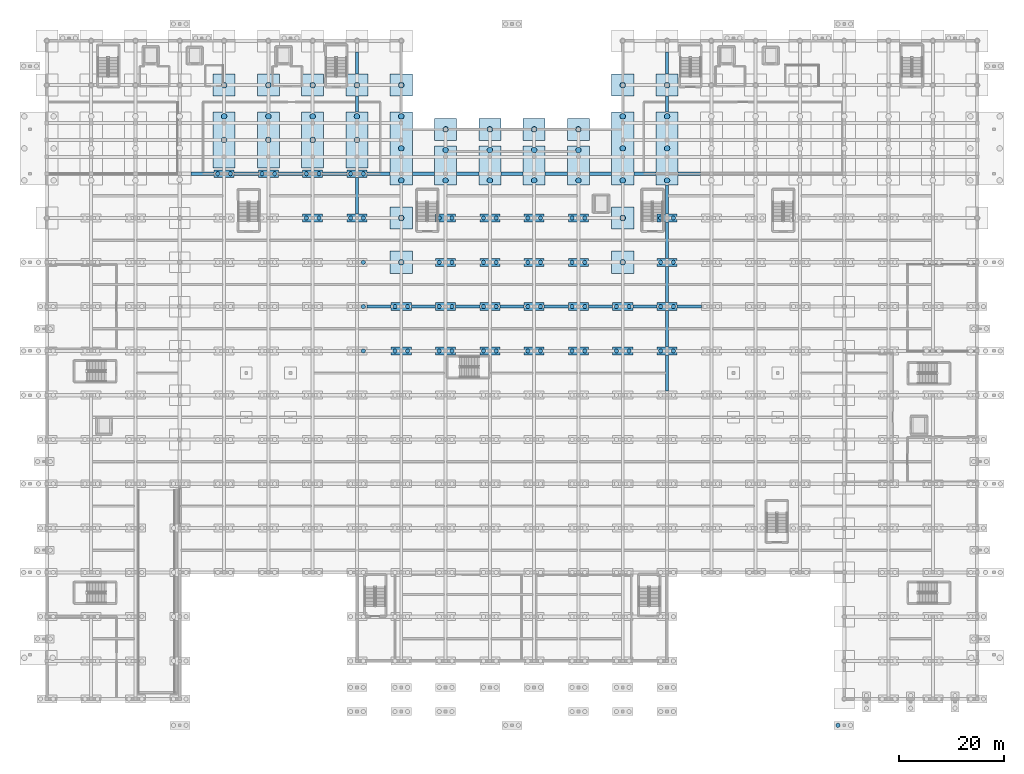
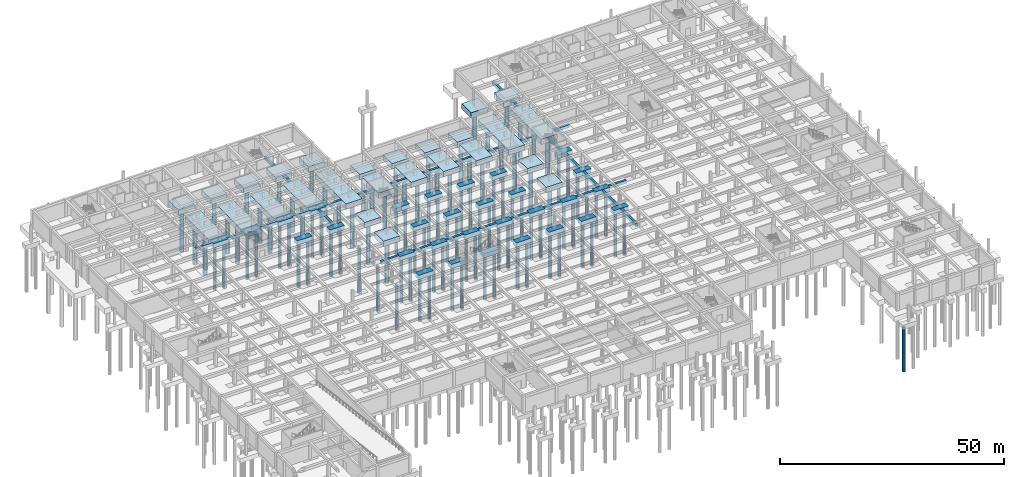
# One storey, part 4 of 51: 104 piles, 86 footings.
"""IFC4 building model written with IfcOpenShell, lengths in metres."""

from ifc_helpers import new_model, si_unit, direction, frame, origin, origin_2d, place, context, subcontext, project, spatial, rectangle, circle, extrude, material, material_profile, profile_set, type_object, element, save


model = new_model("IFC4")

# Units and contexts
model_context = context("Model", 3, precision=1e-05, world=origin(), true_north=direction((0.0, 1.0)))
body_context = subcontext(model_context, "Body", "Model", "MODEL_VIEW")
ifc_project = project(units=[si_unit("LENGTHUNIT", "METRE"), si_unit("AREAUNIT", "SQUARE_METRE"), si_unit("VOLUMEUNIT", "CUBIC_METRE"), si_unit("PLANEANGLEUNIT", "RADIAN"), si_unit("MASSUNIT", "GRAM", prefix="KILO")], contexts=[model_context])

# Site, building, storey
site_placement = place(None, origin())
site = spatial("IfcSite", under=ifc_project, at=site_placement, CompositionType="ELEMENT")
building_placement = place(site_placement, origin())
building = spatial("IfcBuilding", under=site, at=building_placement, Name="Varncliffe General Hospital", CompositionType="ELEMENT")
storey_placement = place(building_placement, frame((0.0, 0.0, -4.800048828125)))
storey = spatial("IfcBuildingStorey", under=building, at=storey_placement, Name="B1", CompositionType="ELEMENT", Elevation=-4.800048828125)

# Piles
ifc_material = material(Name="Concrete C40/50 (CSA A23.1 40 MPa)", Category="concrete")
ifc_material_profile_1 = material_profile(ifc_material, circle(Radius=0.39990234375, at=origin_2d()), Name="BORED PILE 800")
ifc_profile_set_1 = profile_set([ifc_material_profile_1], Name="Concrete C40/50 (CSA A23.1 40 MPa)")
pile_type_1 = type_object("IfcPileType", Name="Bored Caisson Pile P13 (BORED PILE 800)", PredefinedType="BORED", material=ifc_profile_set_1)
for number, where, z_axis, x_axis, name in (
    (1, (150.0, -5.0, -1.050048828125), (0.0, 0.0, -1.0), (1.0, 0.0, 0.0), "B1 Bored Pile P13 (PC-B1-003-1)"),
    (2, (60.0, 66.0, -1.050048828125), (0.0, 0.0, -1.0), (1.0, 0.0, 0.0), "B1 Bored Pile P13 (PC-B1-185-2)"),
    (3, (66.0, 66.0, -1.050048828125), (0.0, 0.0, -1.0), (1.0, 0.0, 0.0), "B1 Bored Pile P13 (PC-B1-186-1)"),
    (4, (68.39990234375, 66.0, -1.050048828125), (0.0, 0.0, -1.0), (1.0, 0.0, 0.0), "B1 Bored Pile P13 (PC-B1-186-2)"),
    (5, (74.39990234375, 66.0, -1.050048828125), (0.0, 0.0, -1.0), (1.0, 0.0, 0.0), "B1 Bored Pile P13 (PC-B1-187-1)"),
    (6, (76.800048828125, 66.0, -1.050048828125), (0.0, 0.0, -1.0), (1.0, 0.0, 0.0), "B1 Bored Pile P13 (PC-B1-187-2)"),
    (7, (82.800048828125, 66.0, -1.050048828125), (0.0, 0.0, -1.0), (1.0, 0.0, 0.0), "B1 Bored Pile P13 (PC-B1-188-1)"),
    (8, (85.199951171875, 66.0, -1.050048828125), (0.0, 0.0, -1.0), (1.0, 0.0, 0.0), "B1 Bored Pile P13 (PC-B1-188-2)"),
    (9, (91.199951171875, 66.0, -1.050048828125), (0.0, 0.0, -1.0), (1.0, 0.0, 0.0), "B1 Bored Pile P13 (PC-B1-189-1)"),
    (10, (93.60009765625, 66.0, -1.050048828125), (0.0, 0.0, -1.0), (1.0, 0.0, 0.0), "B1 Bored Pile P13 (PC-B1-189-2)"),
    (11, (99.60009765625, 66.0, -1.050048828125), (0.0, 0.0, -1.0), (1.0, 0.0, 0.0), "B1 Bored Pile P13 (PC-B1-190-1)"),
    (12, (102.0, 66.0, -1.050048828125), (0.0, 0.0, -1.0), (1.0, 0.0, 0.0), "B1 Bored Pile P13 (PC-B1-190-2)"),
    (13, (108.0, 66.0, -1.050048828125), (0.0, 0.0, -1.0), (1.0, 0.0, 0.0), "B1 Bored Pile P13 (PC-B1-191-1)"),
    (14, (110.39990234375, 66.0, -1.050048828125), (0.0, 0.0, -1.0), (1.0, 0.0, 0.0), "B1 Bored Pile P13 (PC-B1-191-2)"),
    (15, (116.39990234375, 66.0, -1.050048828125), (0.0, 0.0, -1.0), (1.0, 0.0, 0.0), "B1 Bored Pile P13 (PC-B1-192-1)"),
    (16, (118.800048828125, 66.0, -1.050048828125), (0.0, 0.0, -1.0), (1.0, 0.0, 0.0), "B1 Bored Pile P13 (PC-B1-192-2)"),
    (17, (60.0, 74.39990234375, -1.050048828125), (0.0, 0.0, -1.0), (1.0, 0.0, 0.0), "B1 Bored Pile P13 (PC-B1-209-2)"),
    (18, (66.0, 74.39990234375, -1.050048828125), (0.0, 0.0, -1.0), (1.0, 0.0, 0.0), "B1 Bored Pile P13 (PC-B1-210-1)"),
    (19, (68.39990234375, 74.39990234375, -1.050048828125), (0.0, 0.0, -1.0), (1.0, 0.0, 0.0), "B1 Bored Pile P13 (PC-B1-210-2)"),
    (20, (74.39990234375, 74.39990234375, -1.050048828125), (0.0, 0.0, -1.0), (1.0, 0.0, 0.0), "B1 Bored Pile P13 (PC-B1-211-1)"),
    (21, (76.800048828125, 74.39990234375, -1.050048828125), (0.0, 0.0, -1.0), (1.0, 0.0, 0.0), "B1 Bored Pile P13 (PC-B1-211-2)"),
    (22, (82.800048828125, 74.39990234375, -1.050048828125), (0.0, 0.0, -1.0), (1.0, 0.0, 0.0), "B1 Bored Pile P13 (PC-B1-212-1)"),
    (23, (85.199951171875, 74.39990234375, -1.050048828125), (0.0, 0.0, -1.0), (1.0, 0.0, 0.0), "B1 Bored Pile P13 (PC-B1-212-2)"),
    (24, (91.199951171875, 74.39990234375, -1.050048828125), (0.0, 0.0, -1.0), (1.0, 0.0, 0.0), "B1 Bored Pile P13 (PC-B1-213-1)"),
    (25, (93.60009765625, 74.39990234375, -1.050048828125), (0.0, 0.0, -1.0), (1.0, 0.0, 0.0), "B1 Bored Pile P13 (PC-B1-213-2)"),
    (26, (99.60009765625, 74.39990234375, -1.050048828125), (0.0, 0.0, -1.0), (1.0, 0.0, 0.0), "B1 Bored Pile P13 (PC-B1-214-1)"),
    (27, (102.0, 74.39990234375, -1.050048828125), (0.0, 0.0, -1.0), (1.0, 0.0, 0.0), "B1 Bored Pile P13 (PC-B1-214-2)"),
    (28, (108.0, 74.39990234375, -1.050048828125), (0.0, 0.0, -1.0), (1.0, 0.0, 0.0), "B1 Bored Pile P13 (PC-B1-215-1)"),
    (29, (110.39990234375, 74.39990234375, -1.050048828125), (0.0, 0.0, -1.0), (1.0, 0.0, 0.0), "B1 Bored Pile P13 (PC-B1-215-2)"),
    (30, (116.39990234375, 74.39990234375, -1.050048828125), (0.0, 0.0, -1.0), (1.0, 0.0, 0.0), "B1 Bored Pile P13 (PC-B1-216-1)"),
    (31, (118.800048828125, 74.39990234375, -1.050048828125), (0.0, 0.0, -1.0), (1.0, 0.0, 0.0), "B1 Bored Pile P13 (PC-B1-216-2)"),
    (32, (60.0, 82.800048828125, -1.050048828125), (0.0, 0.0, -1.0), (1.0, 0.0, 0.0), "B1 Bored Pile P13 (PC-B1-232-2)"),
    (33, (74.39990234375, 82.800048828125, -1.050048828125), (0.0, 0.0, -1.0), (1.0, 0.0, 0.0), "B1 Bored Pile P13 (PC-B1-233-1)"),
    (34, (76.800048828125, 82.800048828125, -1.050048828125), (0.0, 0.0, -1.0), (1.0, 0.0, 0.0), "B1 Bored Pile P13 (PC-B1-233-2)"),
    (35, (82.800048828125, 82.800048828125, -1.050048828125), (0.0, 0.0, -1.0), (1.0, 0.0, 0.0), "B1 Bored Pile P13 (PC-B1-234-1)"),
    (36, (85.199951171875, 82.800048828125, -1.050048828125), (0.0, 0.0, -1.0), (1.0, 0.0, 0.0), "B1 Bored Pile P13 (PC-B1-234-2)"),
    (37, (91.199951171875, 82.800048828125, -1.050048828125), (0.0, 0.0, -1.0), (1.0, 0.0, 0.0), "B1 Bored Pile P13 (PC-B1-235-1)"),
    (38, (93.60009765625, 82.800048828125, -1.050048828125), (0.0, 0.0, -1.0), (1.0, 0.0, 0.0), "B1 Bored Pile P13 (PC-B1-235-2)"),
    (39, (99.60009765625, 82.800048828125, -1.050048828125), (0.0, 0.0, -1.0), (1.0, 0.0, 0.0), "B1 Bored Pile P13 (PC-B1-236-1)"),
    (40, (102.0, 82.800048828125, -1.050048828125), (0.0, 0.0, -1.0), (1.0, 0.0, 0.0), "B1 Bored Pile P13 (PC-B1-236-2)"),
    (41, (116.39990234375, 82.800048828125, -1.050048828125), (0.0, 0.0, -1.0), (1.0, 0.0, 0.0), "B1 Bored Pile P13 (PC-B1-237-1)"),
    (42, (118.800048828125, 82.800048828125, -1.050048828125), (0.0, 0.0, -1.0), (1.0, 0.0, 0.0), "B1 Bored Pile P13 (PC-B1-237-2)"),
    (43, (49.199951171875, 91.199951171875, -1.050048828125), (0.0, 0.0, -1.0), (1.0, 0.0, 0.0), "B1 Bored Pile P13 (PC-B1-254-1)"),
    (44, (51.60009765625, 91.199951171875, -1.050048828125), (0.0, 0.0, -1.0), (1.0, 0.0, 0.0), "B1 Bored Pile P13 (PC-B1-254-2)"),
    (45, (57.60009765625, 91.199951171875, -1.050048828125), (0.0, 0.0, -1.0), (1.0, 0.0, 0.0), "B1 Bored Pile P13 (PC-B1-255-1)"),
    (46, (60.0, 91.199951171875, -1.050048828125), (0.0, 0.0, -1.0), (1.0, 0.0, 0.0), "B1 Bored Pile P13 (PC-B1-255-2)"),
    (47, (74.39990234375, 91.199951171875, -1.050048828125), (0.0, 0.0, -1.0), (1.0, 0.0, 0.0), "B1 Bored Pile P13 (PC-B1-256-1)"),
    (48, (76.800048828125, 91.199951171875, -1.050048828125), (0.0, 0.0, -1.0), (1.0, 0.0, 0.0), "B1 Bored Pile P13 (PC-B1-256-2)"),
    (49, (82.800048828125, 91.199951171875, -1.050048828125), (0.0, 0.0, -1.0), (1.0, 0.0, 0.0), "B1 Bored Pile P13 (PC-B1-257-1)"),
    (50, (85.199951171875, 91.199951171875, -1.050048828125), (0.0, 0.0, -1.0), (1.0, 0.0, 0.0), "B1 Bored Pile P13 (PC-B1-257-2)"),
    (51, (91.199951171875, 91.199951171875, -1.050048828125), (0.0, 0.0, -1.0), (1.0, 0.0, 0.0), "B1 Bored Pile P13 (PC-B1-258-1)"),
    (52, (93.60009765625, 91.199951171875, -1.050048828125), (0.0, 0.0, -1.0), (1.0, 0.0, 0.0), "B1 Bored Pile P13 (PC-B1-258-2)"),
    (53, (99.60009765625, 91.199951171875, -1.050048828125), (0.0, 0.0, -1.0), (1.0, 0.0, 0.0), "B1 Bored Pile P13 (PC-B1-259-1)"),
    (54, (102.0, 91.199951171875, -1.050048828125), (0.0, 0.0, -1.0), (1.0, 0.0, 0.0), "B1 Bored Pile P13 (PC-B1-259-2)"),
    (55, (116.39990234375, 91.199951171875, -1.050048828125), (0.0, 0.0, -1.0), (1.0, 0.0, 0.0), "B1 Bored Pile P13 (PC-B1-260-1)"),
    (56, (118.800048828125, 91.199951171875, -1.050048828125), (0.0, 0.0, -1.0), (1.0, 0.0, 0.0), "B1 Bored Pile P13 (PC-B1-260-2)"),
    (57, (32.39990234375, 99.60009765625, -1.050048828125), (0.0, 0.0, -1.0), (1.0, 0.0, 0.0), "B1 Bored Pile P13 (PC-B1-285-1)"),
    (58, (34.800048828125, 99.60009765625, -1.050048828125), (0.0, 0.0, -1.0), (1.0, 0.0, 0.0), "B1 Bored Pile P13 (PC-B1-285-2)"),
    (59, (40.800048828125, 99.60009765625, -1.050048828125), (0.0, 0.0, -1.0), (1.0, 0.0, 0.0), "B1 Bored Pile P13 (PC-B1-286-1)"),
    (60, (43.199951171875, 99.60009765625, -1.050048828125), (0.0, 0.0, -1.0), (1.0, 0.0, 0.0), "B1 Bored Pile P13 (PC-B1-286-2)"),
    (61, (49.199951171875, 99.60009765625, -1.050048828125), (0.0, 0.0, -1.0), (1.0, 0.0, 0.0), "B1 Bored Pile P13 (PC-B1-287-1)"),
    (62, (51.60009765625, 99.60009765625, -1.050048828125), (0.0, 0.0, -1.0), (1.0, 0.0, 0.0), "B1 Bored Pile P13 (PC-B1-287-2)"),
    (63, (57.60009765625, 99.60009765625, -1.050048828125), (0.0, 0.0, -1.0), (1.0, 0.0, 0.0), "B1 Bored Pile P13 (PC-B1-288-1)"),
    (64, (60.0, 99.60009765625, -1.050048828125), (0.0, 0.0, -1.0), (1.0, 0.0, 0.0), "B1 Bored Pile P13 (PC-B1-288-2)"),
):
    element("IfcPile", number, at=place(storey_placement, frame(where, z_axis=z_axis, x_axis=x_axis)), inside=storey, type_object=pile_type_1, Name=name, PredefinedType="BORED", context=body_context, shape_type="SweptSolid", body=[
        extrude(circle(Radius=0.39990234375, at=origin_2d()), origin(), (0.0, 0.0, 1.0), 12.14990234375),
    ])
ifc_material_profile_2 = material_profile(ifc_material, circle(Radius=0.52490234375, at=origin_2d()), Name="BORED PILE 1050")
ifc_profile_set_2 = profile_set([ifc_material_profile_2], Name="Concrete C40/50 (CSA A23.1 40 MPa)")
pile_type_2 = type_object("IfcPileType", Name="Bored Caisson Pile P22 (BORED PILE 1050)", PredefinedType="BORED", material=ifc_profile_set_2)
for number, where, z_axis, x_axis, name in (
    (65, (67.199951171875, 82.800048828125, -1.349853515625), (0.0, 0.0, -1.0), (1.0, 0.0, 0.0), "B1 Bored Pile P22 (PC-B1-223-1)"),
    (66, (109.199951171875, 82.800048828125, -1.349853515625), (0.0, 0.0, -1.0), (1.0, 0.0, 0.0), "B1 Bored Pile P22 (PC-B1-224-1)"),
    (67, (67.199951171875, 91.199951171875, -1.349853515625), (0.0, 0.0, -1.0), (1.0, 0.0, 0.0), "B1 Bored Pile P22 (PC-B1-246-1)"),
    (68, (109.199951171875, 91.199951171875, -1.349853515625), (0.0, 0.0, -1.0), (1.0, 0.0, 0.0), "B1 Bored Pile P22 (PC-B1-247-1)"),
    (69, (67.199951171875, 98.324951171875, -1.349853515625), (0.0, 0.0, -1.0), (1.0, 0.0, 0.0), "B1 Bored Pile P22 (PC-B1-270-1)"),
    (70, (67.199951171875, 104.39990234375, -1.349853515625), (0.0, 0.0, -1.0), (1.0, 0.0, 0.0), "B1 Bored Pile P22 (PC-B1-270-2)"),
    (71, (67.199951171875, 110.47509765625, -1.349853515625), (0.0, 0.0, -1.0), (1.0, 0.0, 0.0), "B1 Bored Pile P22 (PC-B1-270-3)"),
    (72, (75.60009765625, 98.324951171875, -1.349853515625), (0.0, 0.0, -1.0), (1.0, 0.0, 0.0), "B1 Bored Pile P22 (PC-B1-271-1)"),
    (73, (75.60009765625, 104.074951171875, -1.349853515625), (0.0, 0.0, -1.0), (1.0, 0.0, 0.0), "B1 Bored Pile P22 (PC-B1-271-2)"),
    (74, (84.0, 98.324951171875, -1.349853515625), (0.0, 0.0, -1.0), (1.0, 0.0, 0.0), "B1 Bored Pile P22 (PC-B1-272-1)"),
    (75, (84.0, 104.074951171875, -1.349853515625), (0.0, 0.0, -1.0), (1.0, 0.0, 0.0), "B1 Bored Pile P22 (PC-B1-272-2)"),
    (76, (92.39990234375, 98.324951171875, -1.349853515625), (0.0, 0.0, -1.0), (1.0, 0.0, 0.0), "B1 Bored Pile P22 (PC-B1-273-1)"),
    (77, (92.39990234375, 104.074951171875, -1.349853515625), (0.0, 0.0, -1.0), (1.0, 0.0, 0.0), "B1 Bored Pile P22 (PC-B1-273-2)"),
    (78, (100.800048828125, 98.324951171875, -1.349853515625), (0.0, 0.0, -1.0), (1.0, 0.0, 0.0), "B1 Bored Pile P22 (PC-B1-274-1)"),
    (79, (100.800048828125, 104.074951171875, -1.349853515625), (0.0, 0.0, -1.0), (1.0, 0.0, 0.0), "B1 Bored Pile P22 (PC-B1-274-2)"),
    (80, (109.199951171875, 98.324951171875, -1.349853515625), (0.0, 0.0, -1.0), (1.0, 0.0, 0.0), "B1 Bored Pile P22 (PC-B1-275-1)"),
    (81, (109.199951171875, 104.39990234375, -1.349853515625), (0.0, 0.0, -1.0), (1.0, 0.0, 0.0), "B1 Bored Pile P22 (PC-B1-275-2)"),
    (82, (109.199951171875, 110.47509765625, -1.349853515625), (0.0, 0.0, -1.0), (1.0, 0.0, 0.0), "B1 Bored Pile P22 (PC-B1-275-3)"),
    (83, (117.60009765625, 98.324951171875, -1.349853515625), (0.0, 0.0, -1.0), (1.0, 0.0, 0.0), "B1 Bored Pile P22 (PC-B1-276-1)"),
    (84, (117.60009765625, 104.39990234375, -1.349853515625), (0.0, 0.0, -1.0), (1.0, 0.0, 0.0), "B1 Bored Pile P22 (PC-B1-276-2)"),
    (85, (117.60009765625, 110.47509765625, -1.349853515625), (0.0, 0.0, -1.0), (1.0, 0.0, 0.0), "B1 Bored Pile P22 (PC-B1-276-3)"),
    (86, (33.60009765625, 106.0, -1.349853515625), (0.0, 0.0, -1.0), (1.0, 0.0, 0.0), "B1 Bored Pile P22 (PC-B1-289-1)"),
    (87, (33.60009765625, 110.47509765625, -1.349853515625), (0.0, 0.0, -1.0), (1.0, 0.0, 0.0), "B1 Bored Pile P22 (PC-B1-289-2)"),
    (88, (42.0, 106.0, -1.349853515625), (0.0, 0.0, -1.0), (1.0, 0.0, 0.0), "B1 Bored Pile P22 (PC-B1-290-1)"),
    (89, (42.0, 110.47509765625, -1.349853515625), (0.0, 0.0, -1.0), (1.0, 0.0, 0.0), "B1 Bored Pile P22 (PC-B1-290-2)"),
    (90, (50.39990234375, 106.0, -1.349853515625), (0.0, 0.0, -1.0), (1.0, 0.0, 0.0), "B1 Bored Pile P22 (PC-B1-291-1)"),
    (91, (50.39990234375, 110.47509765625, -1.349853515625), (0.0, 0.0, -1.0), (1.0, 0.0, 0.0), "B1 Bored Pile P22 (PC-B1-291-2)"),
    (92, (58.800048828125, 106.0, -1.349853515625), (0.0, 0.0, -1.0), (1.0, 0.0, 0.0), "B1 Bored Pile P22 (PC-B1-292-1)"),
    (93, (58.800048828125, 110.47509765625, -1.349853515625), (0.0, 0.0, -1.0), (1.0, 0.0, 0.0), "B1 Bored Pile P22 (PC-B1-292-2)"),
    (94, (75.60009765625, 108.0, -1.349853515625), (0.0, 0.0, -1.0), (1.0, 0.0, 0.0), "B1 Bored Pile P22 (PC-B1-293-1)"),
    (95, (84.0, 108.0, -1.349853515625), (0.0, 0.0, -1.0), (1.0, 0.0, 0.0), "B1 Bored Pile P22 (PC-B1-294-1)"),
    (96, (92.39990234375, 108.0, -1.349853515625), (0.0, 0.0, -1.0), (1.0, 0.0, 0.0), "B1 Bored Pile P22 (PC-B1-295-1)"),
    (97, (100.800048828125, 108.0, -1.349853515625), (0.0, 0.0, -1.0), (1.0, 0.0, 0.0), "B1 Bored Pile P22 (PC-B1-296-1)"),
    (98, (33.60009765625, 116.39990234375, -1.349853515625), (0.0, 0.0, -1.0), (1.0, 0.0, 0.0), "B1 Bored Pile P22 (PC-B1-301-1)"),
    (99, (42.0, 116.39990234375, -1.349853515625), (0.0, 0.0, -1.0), (1.0, 0.0, 0.0), "B1 Bored Pile P22 (PC-B1-302-1)"),
    (100, (50.39990234375, 116.39990234375, -1.349853515625), (0.0, 0.0, -1.0), (1.0, 0.0, 0.0), "B1 Bored Pile P22 (PC-B1-303-1)"),
    (101, (58.800048828125, 116.39990234375, -1.349853515625), (0.0, 0.0, -1.0), (1.0, 0.0, 0.0), "B1 Bored Pile P22 (PC-B1-304-1)"),
    (102, (67.199951171875, 116.39990234375, -1.349853515625), (0.0, 0.0, -1.0), (1.0, 0.0, 0.0), "B1 Bored Pile P22 (PC-B1-305-1)"),
    (103, (109.199951171875, 116.39990234375, -1.349853515625), (0.0, 0.0, -1.0), (1.0, 0.0, 0.0), "B1 Bored Pile P22 (PC-B1-306-1)"),
    (104, (117.60009765625, 116.39990234375, -1.349853515625), (0.0, 0.0, -1.0), (1.0, 0.0, 0.0), "B1 Bored Pile P22 (PC-B1-307-1)"),
):
    element("IfcPile", number, at=place(storey_placement, frame(where, z_axis=z_axis, x_axis=x_axis)), inside=storey, type_object=pile_type_2, Name=name, PredefinedType="BORED", context=body_context, shape_type="SweptSolid", body=[
        extrude(circle(Radius=0.52490234375, at=origin_2d()), origin(), (0.0, 0.0, 1.0), 11.85009765625),
    ])

# Footings
footing_type_1 = type_object("IfcFootingType", Name="Pile Cap PC11 (7400x4200x1500)", PredefinedType="PILE_CAP", material=ifc_material)
for number, where, z_axis, x_axis, name in (
    (105, (75.60009765625, 101.199951171875, -1.5), (0.0, 0.0, 1.0), (1.0, 0.0, 0.0), "B1 Pile Cap PC11 #271"),
    (106, (84.0, 101.199951171875, -1.5), (0.0, 0.0, 1.0), (1.0, 0.0, 0.0), "B1 Pile Cap PC11 #272"),
    (107, (92.39990234375, 101.199951171875, -1.5), (0.0, 0.0, 1.0), (1.0, 0.0, 0.0), "B1 Pile Cap PC11 #273"),
    (108, (100.800048828125, 101.199951171875, -1.5), (0.0, 0.0, 1.0), (1.0, 0.0, 0.0), "B1 Pile Cap PC11 #274"),
):
    element("IfcFooting", number, at=place(storey_placement, frame(where, z_axis=z_axis, x_axis=x_axis)), inside=storey, type_object=footing_type_1, Name=name, PredefinedType="PILE_CAP", context=body_context, shape_type="SweptSolid", body=[
        extrude(rectangle(XDim=4.199951171875, YDim=7.39990234375, at=origin_2d()), origin(), (0.0, 0.0, 1.0), 1.5),
    ])
footing_type_2 = type_object("IfcFootingType", Name="Pile Cap PC16 (10600x4200x1500)", PredefinedType="PILE_CAP", material=ifc_material)
for number, where, z_axis, x_axis, name in (
    (109, (33.60009765625, 106.0, -1.5), (0.0, 0.0, 1.0), (1.0, 0.0, 0.0), "B1 Pile Cap PC16 #289"),
    (110, (42.0, 106.0, -1.5), (0.0, 0.0, 1.0), (1.0, 0.0, 0.0), "B1 Pile Cap PC16 #290"),
    (111, (50.39990234375, 106.0, -1.5), (0.0, 0.0, 1.0), (1.0, 0.0, 0.0), "B1 Pile Cap PC16 #291"),
    (112, (58.800048828125, 106.0, -1.5), (0.0, 0.0, 1.0), (1.0, 0.0, 0.0), "B1 Pile Cap PC16 #292"),
):
    element("IfcFooting", number, at=place(storey_placement, frame(where, z_axis=z_axis, x_axis=x_axis)), inside=storey, type_object=footing_type_2, Name=name, PredefinedType="PILE_CAP", context=body_context, shape_type="SweptSolid", body=[
        extrude(rectangle(XDim=4.199951171875, YDim=10.60009765625, at=origin_2d()), origin(), (0.0, 0.0, 1.0), 1.5),
    ])
footing_type_3 = type_object("IfcFootingType", Name="Pile Cap PC17 (3800x1500x1200)", PredefinedType="PILE_CAP", material=ifc_material)
for number, where, z_axis, x_axis, name in (
    (113, (67.199951171875, 66.0, -1.19970703125), (0.0, 0.0, 1.0), (1.0, 0.0, 0.0), "B1 Pile Cap PC17 #186"),
    (114, (75.60009765625, 66.0, -1.19970703125), (0.0, 0.0, 1.0), (1.0, 0.0, 0.0), "B1 Pile Cap PC17 #187"),
    (115, (84.0, 66.0, -1.19970703125), (0.0, 0.0, 1.0), (1.0, 0.0, 0.0), "B1 Pile Cap PC17 #188"),
    (116, (92.39990234375, 66.0, -1.19970703125), (0.0, 0.0, 1.0), (1.0, 0.0, 0.0), "B1 Pile Cap PC17 #189"),
    (117, (100.800048828125, 66.0, -1.19970703125), (0.0, 0.0, 1.0), (1.0, 0.0, 0.0), "B1 Pile Cap PC17 #190"),
    (118, (109.199951171875, 66.0, -1.19970703125), (0.0, 0.0, 1.0), (1.0, 0.0, 0.0), "B1 Pile Cap PC17 #191"),
    (119, (117.60009765625, 66.0, -1.19970703125), (0.0, 0.0, 1.0), (1.0, 0.0, 0.0), "B1 Pile Cap PC17 #192"),
    (120, (67.199951171875, 74.39990234375, -1.19970703125), (0.0, 0.0, 1.0), (1.0, 0.0, 0.0), "B1 Pile Cap PC17 #210"),
    (121, (75.60009765625, 74.39990234375, -1.19970703125), (0.0, 0.0, 1.0), (1.0, 0.0, 0.0), "B1 Pile Cap PC17 #211"),
    (122, (84.0, 74.39990234375, -1.19970703125), (0.0, 0.0, 1.0), (1.0, 0.0, 0.0), "B1 Pile Cap PC17 #212"),
    (123, (92.39990234375, 74.39990234375, -1.19970703125), (0.0, 0.0, 1.0), (1.0, 0.0, 0.0), "B1 Pile Cap PC17 #213"),
    (124, (100.800048828125, 74.39990234375, -1.19970703125), (0.0, 0.0, 1.0), (1.0, 0.0, 0.0), "B1 Pile Cap PC17 #214"),
    (125, (109.199951171875, 74.39990234375, -1.19970703125), (0.0, 0.0, 1.0), (1.0, 0.0, 0.0), "B1 Pile Cap PC17 #215"),
    (126, (117.60009765625, 74.39990234375, -1.19970703125), (0.0, 0.0, 1.0), (1.0, 0.0, 0.0), "B1 Pile Cap PC17 #216"),
    (127, (75.60009765625, 82.800048828125, -1.19970703125), (0.0, 0.0, 1.0), (1.0, 0.0, 0.0), "B1 Pile Cap PC17 #233"),
    (128, (84.0, 82.800048828125, -1.19970703125), (0.0, 0.0, 1.0), (1.0, 0.0, 0.0), "B1 Pile Cap PC17 #234"),
    (129, (92.39990234375, 82.800048828125, -1.19970703125), (0.0, 0.0, 1.0), (1.0, 0.0, 0.0), "B1 Pile Cap PC17 #235"),
    (130, (100.800048828125, 82.800048828125, -1.19970703125), (0.0, 0.0, 1.0), (1.0, 0.0, 0.0), "B1 Pile Cap PC17 #236"),
    (131, (117.60009765625, 82.800048828125, -1.19970703125), (0.0, 0.0, 1.0), (1.0, 0.0, 0.0), "B1 Pile Cap PC17 #237"),
    (132, (50.39990234375, 91.199951171875, -1.19970703125), (0.0, 0.0, 1.0), (1.0, 0.0, 0.0), "B1 Pile Cap PC17 #254"),
    (133, (58.800048828125, 91.199951171875, -1.19970703125), (0.0, 0.0, 1.0), (1.0, 0.0, 0.0), "B1 Pile Cap PC17 #255"),
    (134, (75.60009765625, 91.199951171875, -1.19970703125), (0.0, 0.0, 1.0), (1.0, 0.0, 0.0), "B1 Pile Cap PC17 #256"),
    (135, (84.0, 91.199951171875, -1.19970703125), (0.0, 0.0, 1.0), (1.0, 0.0, 0.0), "B1 Pile Cap PC17 #257"),
    (136, (92.39990234375, 91.199951171875, -1.19970703125), (0.0, 0.0, 1.0), (1.0, 0.0, 0.0), "B1 Pile Cap PC17 #258"),
    (137, (100.800048828125, 91.199951171875, -1.19970703125), (0.0, 0.0, 1.0), (1.0, 0.0, 0.0), "B1 Pile Cap PC17 #259"),
    (138, (117.60009765625, 91.199951171875, -1.19970703125), (0.0, 0.0, 1.0), (1.0, 0.0, 0.0), "B1 Pile Cap PC17 #260"),
    (139, (33.60009765625, 99.60009765625, -1.19970703125), (0.0, 0.0, 1.0), (1.0, 0.0, 0.0), "B1 Pile Cap PC17 #285"),
    (140, (42.0, 99.60009765625, -1.19970703125), (0.0, 0.0, 1.0), (1.0, 0.0, 0.0), "B1 Pile Cap PC17 #286"),
    (141, (50.39990234375, 99.60009765625, -1.19970703125), (0.0, 0.0, 1.0), (1.0, 0.0, 0.0), "B1 Pile Cap PC17 #287"),
    (142, (58.800048828125, 99.60009765625, -1.19970703125), (0.0, 0.0, 1.0), (1.0, 0.0, 0.0), "B1 Pile Cap PC17 #288"),
):
    element("IfcFooting", number, at=place(storey_placement, frame(where, z_axis=z_axis, x_axis=x_axis)), inside=storey, type_object=footing_type_3, Name=name, PredefinedType="PILE_CAP", context=body_context, shape_type="SweptSolid", body=[
        extrude(rectangle(XDim=3.800048828125, YDim=1.5, at=origin_2d()), origin(), (0.0, 0.0, 1.0), 1.199951171875),
    ])
footing_type_4 = type_object("IfcFootingType", Name="Pile Cap PC24 (13800x4200x1500)", PredefinedType="PILE_CAP", material=ifc_material)
for number, where, z_axis, x_axis, name in (
    (143, (67.199951171875, 104.39990234375, -1.5), (0.0, 0.0, 1.0), (1.0, 0.0, 0.0), "B1 Pile Cap PC24 #270"),
    (144, (109.199951171875, 104.39990234375, -1.5), (0.0, 0.0, 1.0), (1.0, 0.0, 0.0), "B1 Pile Cap PC24 #275"),
    (145, (117.60009765625, 104.39990234375, -1.5), (0.0, 0.0, 1.0), (1.0, 0.0, 0.0), "B1 Pile Cap PC24 #276"),
):
    element("IfcFooting", number, at=place(storey_placement, frame(where, z_axis=z_axis, x_axis=x_axis)), inside=storey, type_object=footing_type_4, Name=name, PredefinedType="PILE_CAP", context=body_context, shape_type="SweptSolid", body=[
        extrude(rectangle(XDim=4.199951171875, YDim=13.800048828125, at=origin_2d()), origin(), (0.0, 0.0, 1.0), 1.5),
    ])
footing_type_5 = type_object("IfcFootingType", Name="Pile Cap PC67 (4200x4200x1500)", PredefinedType="PILE_CAP", material=ifc_material)
for number, where, z_axis, x_axis, name in (
    (146, (67.199951171875, 82.800048828125, -1.5), (0.0, 0.0, 1.0), (1.0, 0.0, 0.0), "B1 Pile Cap PC67 #223"),
    (147, (109.199951171875, 82.800048828125, -1.5), (0.0, 0.0, 1.0), (1.0, 0.0, 0.0), "B1 Pile Cap PC67 #224"),
    (148, (67.199951171875, 91.199951171875, -1.5), (0.0, 0.0, 1.0), (1.0, 0.0, 0.0), "B1 Pile Cap PC67 #246"),
    (149, (109.199951171875, 91.199951171875, -1.5), (0.0, 0.0, 1.0), (1.0, 0.0, 0.0), "B1 Pile Cap PC67 #247"),
    (150, (75.60009765625, 108.0, -1.5), (0.0, 0.0, 1.0), (1.0, 0.0, 0.0), "B1 Pile Cap PC67 #293"),
    (151, (84.0, 108.0, -1.5), (0.0, 0.0, 1.0), (1.0, 0.0, 0.0), "B1 Pile Cap PC67 #294"),
    (152, (92.39990234375, 108.0, -1.5), (0.0, 0.0, 1.0), (1.0, 0.0, 0.0), "B1 Pile Cap PC67 #295"),
    (153, (100.800048828125, 108.0, -1.5), (0.0, 0.0, 1.0), (1.0, 0.0, 0.0), "B1 Pile Cap PC67 #296"),
    (154, (33.60009765625, 116.39990234375, -1.5), (0.0, 0.0, 1.0), (1.0, 0.0, 0.0), "B1 Pile Cap PC67 #301"),
    (155, (42.0, 116.39990234375, -1.5), (0.0, 0.0, 1.0), (1.0, 0.0, 0.0), "B1 Pile Cap PC67 #302"),
    (156, (50.39990234375, 116.39990234375, -1.5), (0.0, 0.0, 1.0), (1.0, 0.0, 0.0), "B1 Pile Cap PC67 #303"),
    (157, (58.800048828125, 116.39990234375, -1.5), (0.0, 0.0, 1.0), (1.0, 0.0, 0.0), "B1 Pile Cap PC67 #304"),
    (158, (67.199951171875, 116.39990234375, -1.5), (0.0, 0.0, 1.0), (1.0, 0.0, 0.0), "B1 Pile Cap PC67 #305"),
    (159, (109.199951171875, 116.39990234375, -1.5), (0.0, 0.0, 1.0), (1.0, 0.0, 0.0), "B1 Pile Cap PC67 #306"),
    (160, (117.60009765625, 116.39990234375, -1.5), (0.0, 0.0, 1.0), (1.0, 0.0, 0.0), "B1 Pile Cap PC67 #307"),
):
    element("IfcFooting", number, at=place(storey_placement, frame(where, z_axis=z_axis, x_axis=x_axis)), inside=storey, type_object=footing_type_5, Name=name, PredefinedType="PILE_CAP", context=body_context, shape_type="SweptSolid", body=[
        extrude(rectangle(XDim=4.199951171875, YDim=4.199951171875, at=origin_2d()), origin(), (0.0, 0.0, 1.0), 1.5),
    ])
footing_type_6 = type_object("IfcFootingType", Name="Seismic Grade Tie Beam FB69 (600x800)", PredefinedType="FOOTING_BEAM", material=ifc_material)
for number, where, z_axis, x_axis, name in (
    (161, (63.0, 74.39990234375, -0.7998046875), (0.0, 0.0, 1.0), (1.0, 0.0, 0.0), "B1 Seismic Footing Tie Beam FB69-59"),
    (162, (71.39990234375, 74.39990234375, -0.7998046875), (0.0, 0.0, 1.0), (1.0, 0.0, 0.0), "B1 Seismic Footing Tie Beam FB69-60"),
    (163, (79.800048828125, 74.39990234375, -0.7998046875), (0.0, 0.0, 1.0), (1.0, 0.0, 0.0), "B1 Seismic Footing Tie Beam FB69-61"),
    (164, (88.199951171875, 74.39990234375, -0.7998046875), (0.0, 0.0, 1.0), (1.0, 0.0, 0.0), "B1 Seismic Footing Tie Beam FB69-62"),
    (165, (96.60009765625, 74.39990234375, -0.7998046875), (0.0, 0.0, 1.0), (1.0, 0.0, 0.0), "B1 Seismic Footing Tie Beam FB69-63"),
    (166, (105.0, 74.39990234375, -0.7998046875), (0.0, 0.0, 1.0), (1.0, 0.0, 0.0), "B1 Seismic Footing Tie Beam FB69-64"),
    (167, (113.39990234375, 74.39990234375, -0.7998046875), (0.0, 0.0, 1.0), (1.0, 0.0, 0.0), "B1 Seismic Footing Tie Beam FB69-65"),
    (168, (121.800048828125, 74.39990234375, -0.7998046875), (0.0, 0.0, 1.0), (1.0, 0.0, 0.0), "B1 Seismic Footing Tie Beam FB69-66"),
):
    element("IfcFooting", number, at=place(storey_placement, frame(where, z_axis=z_axis, x_axis=x_axis)), inside=storey, type_object=footing_type_6, Name=name, PredefinedType="FOOTING_BEAM", context=body_context, shape_type="SweptSolid", body=[
        extrude(rectangle(XDim=4.60009765625, YDim=0.60009765625, at=origin_2d()), origin(), (0.0, 0.0, 1.0), 0.800048828125),
    ])
footing_1_placement = place(storey_placement, frame((29.5, 99.60009765625, -0.7998046875), z_axis=(0.0, 0.0, 1.0), x_axis=(1.0, 0.0, 0.0)))
element("IfcFooting", 169, at=footing_1_placement, inside=storey, type_object=footing_type_6, Name="B1 Seismic Footing Tie Beam FB69-76", PredefinedType="FOOTING_BEAM", context=body_context, shape_type="SweptSolid", body=[
    extrude(rectangle(XDim=4.39990234375, YDim=0.60009765625, at=origin_2d()), origin(), (0.0, 0.0, 1.0), 0.800048828125),
])
for number, where, z_axis, x_axis, name in (
    (170, (37.800048828125, 99.60009765625, -0.7998046875), (0.0, 0.0, 1.0), (1.0, 0.0, 0.0), "B1 Seismic Footing Tie Beam FB69-77"),
    (171, (46.199951171875, 99.60009765625, -0.7998046875), (0.0, 0.0, 1.0), (1.0, 0.0, 0.0), "B1 Seismic Footing Tie Beam FB69-78"),
    (172, (54.60009765625, 99.60009765625, -0.7998046875), (0.0, 0.0, 1.0), (1.0, 0.0, 0.0), "B1 Seismic Footing Tie Beam FB69-79"),
):
    element("IfcFooting", number, at=place(storey_placement, frame(where, z_axis=z_axis, x_axis=x_axis)), inside=storey, type_object=footing_type_6, Name=name, PredefinedType="FOOTING_BEAM", context=body_context, shape_type="SweptSolid", body=[
        extrude(rectangle(XDim=4.60009765625, YDim=0.60009765625, at=origin_2d()), origin(), (0.0, 0.0, 1.0), 0.800048828125),
    ])
footing_2_placement = place(storey_placement, frame((62.89990234375, 99.60009765625, -0.7998046875), z_axis=(0.0, 0.0, 1.0), x_axis=(1.0, 0.0, 0.0)))
element("IfcFooting", 173, at=footing_2_placement, inside=storey, type_object=footing_type_6, Name="B1 Seismic Footing Tie Beam FB69-80", PredefinedType="FOOTING_BEAM", context=body_context, shape_type="SweptSolid", body=[
    extrude(rectangle(XDim=4.39990234375, YDim=0.60009765625, at=origin_2d()), origin(), (0.0, 0.0, 1.0), 0.800048828125),
])
for number, where, z_axis, x_axis, name in (
    (174, (71.39990234375, 99.60009765625, -0.7998046875), (0.0, 0.0, 1.0), (1.0, 0.0, 0.0), "B1 Seismic Footing Tie Beam FB69-81"),
    (175, (79.800048828125, 99.60009765625, -0.7998046875), (0.0, 0.0, 1.0), (1.0, 0.0, 0.0), "B1 Seismic Footing Tie Beam FB69-82"),
    (176, (88.199951171875, 99.60009765625, -0.7998046875), (0.0, 0.0, 1.0), (1.0, 0.0, 0.0), "B1 Seismic Footing Tie Beam FB69-83"),
    (177, (96.60009765625, 99.60009765625, -0.7998046875), (0.0, 0.0, 1.0), (1.0, 0.0, 0.0), "B1 Seismic Footing Tie Beam FB69-84"),
    (178, (105.0, 99.60009765625, -0.7998046875), (0.0, 0.0, 1.0), (1.0, 0.0, 0.0), "B1 Seismic Footing Tie Beam FB69-85"),
    (179, (113.39990234375, 99.60009765625, -0.7998046875), (0.0, 0.0, 1.0), (1.0, 0.0, 0.0), "B1 Seismic Footing Tie Beam FB69-86"),
    (180, (121.800048828125, 99.60009765625, -0.7998046875), (0.0, 0.0, 1.0), (1.0, 0.0, 0.0), "B1 Seismic Footing Tie Beam FB69-87"),
):
    element("IfcFooting", number, at=place(storey_placement, frame(where, z_axis=z_axis, x_axis=x_axis)), inside=storey, type_object=footing_type_6, Name=name, PredefinedType="FOOTING_BEAM", context=body_context, shape_type="SweptSolid", body=[
        extrude(rectangle(XDim=4.199951171875, YDim=0.60009765625, at=origin_2d()), origin(), (0.0, 0.0, 1.0), 0.800048828125),
    ])
footing_3_placement = place(storey_placement, frame((58.800048828125, 95.39990234375, -0.7998046875), z_axis=(0.0, 0.0, 1.0), x_axis=(1.0, 0.0, 0.0)))
element("IfcFooting", 181, at=footing_3_placement, inside=storey, type_object=footing_type_6, Name="B1 Seismic Footing Tie Beam FB69-146", PredefinedType="FOOTING_BEAM", context=body_context, shape_type="SweptSolid", body=[
    extrude(rectangle(XDim=0.60009765625, YDim=6.89990234375, at=origin_2d()), origin(), (0.0, 0.0, 1.0), 0.800048828125),
])
footing_4_placement = place(storey_placement, frame((58.800048828125, 112.800048828125, -0.7998046875), z_axis=(0.0, 0.0, 1.0), x_axis=(1.0, 0.0, 0.0)))
element("IfcFooting", 182, at=footing_4_placement, inside=storey, type_object=footing_type_6, Name="B1 Seismic Footing Tie Beam FB69-147", PredefinedType="FOOTING_BEAM", context=body_context, shape_type="SweptSolid", body=[
    extrude(rectangle(XDim=0.60009765625, YDim=3.0, at=origin_2d()), origin(), (0.0, 0.0, 1.0), 0.800048828125),
])
footing_5_placement = place(storey_placement, frame((58.800048828125, 120.60009765625, -0.7998046875), z_axis=(0.0, 0.0, 1.0), x_axis=(1.0, 0.0, 0.0)))
element("IfcFooting", 183, at=footing_5_placement, inside=storey, type_object=footing_type_6, Name="B1 Seismic Footing Tie Beam FB69-148", PredefinedType="FOOTING_BEAM", context=body_context, shape_type="SweptSolid", body=[
    extrude(rectangle(XDim=0.60009765625, YDim=4.199951171875, at=origin_2d()), origin(), (0.0, 0.0, 1.0), 0.800048828125),
])
for number, where, z_axis, x_axis, name in (
    (184, (117.60009765625, 61.800048828125, -0.7998046875), (0.0, 0.0, 1.0), (1.0, 0.0, 0.0), "B1 Seismic Footing Tie Beam FB69-155"),
    (185, (117.60009765625, 70.199951171875, -0.7998046875), (0.0, 0.0, 1.0), (1.0, 0.0, 0.0), "B1 Seismic Footing Tie Beam FB69-156"),
    (186, (117.60009765625, 78.60009765625, -0.7998046875), (0.0, 0.0, 1.0), (1.0, 0.0, 0.0), "B1 Seismic Footing Tie Beam FB69-157"),
    (187, (117.60009765625, 87.0, -0.7998046875), (0.0, 0.0, 1.0), (1.0, 0.0, 0.0), "B1 Seismic Footing Tie Beam FB69-158"),
):
    element("IfcFooting", number, at=place(storey_placement, frame(where, z_axis=z_axis, x_axis=x_axis)), inside=storey, type_object=footing_type_6, Name=name, PredefinedType="FOOTING_BEAM", context=body_context, shape_type="SweptSolid", body=[
        extrude(rectangle(XDim=0.60009765625, YDim=6.89990234375, at=origin_2d()), origin(), (0.0, 0.0, 1.0), 0.800048828125),
    ])
footing_6_placement = place(storey_placement, frame((117.60009765625, 94.72509765625, -0.7998046875), z_axis=(0.0, 0.0, 1.0), x_axis=(1.0, 0.0, 0.0)))
element("IfcFooting", 188, at=footing_6_placement, inside=storey, type_object=footing_type_6, Name="B1 Seismic Footing Tie Beam FB69-159", PredefinedType="FOOTING_BEAM", context=body_context, shape_type="SweptSolid", body=[
    extrude(rectangle(XDim=0.60009765625, YDim=5.550048828125, at=origin_2d()), origin(), (0.0, 0.0, 1.0), 0.800048828125),
])
footing_7_placement = place(storey_placement, frame((117.60009765625, 112.800048828125, -0.7998046875), z_axis=(0.0, 0.0, 1.0), x_axis=(1.0, 0.0, 0.0)))
element("IfcFooting", 189, at=footing_7_placement, inside=storey, type_object=footing_type_6, Name="B1 Seismic Footing Tie Beam FB69-160", PredefinedType="FOOTING_BEAM", context=body_context, shape_type="SweptSolid", body=[
    extrude(rectangle(XDim=0.60009765625, YDim=3.0, at=origin_2d()), origin(), (0.0, 0.0, 1.0), 0.800048828125),
])
footing_8_placement = place(storey_placement, frame((117.60009765625, 120.60009765625, -0.7998046875), z_axis=(0.0, 0.0, 1.0), x_axis=(1.0, 0.0, 0.0)))
element("IfcFooting", 190, at=footing_8_placement, inside=storey, type_object=footing_type_6, Name="B1 Seismic Footing Tie Beam FB69-161", PredefinedType="FOOTING_BEAM", context=body_context, shape_type="SweptSolid", body=[
    extrude(rectangle(XDim=0.60009765625, YDim=4.199951171875, at=origin_2d()), origin(), (0.0, 0.0, 1.0), 0.800048828125),
])

save(model, "model.ifc")
